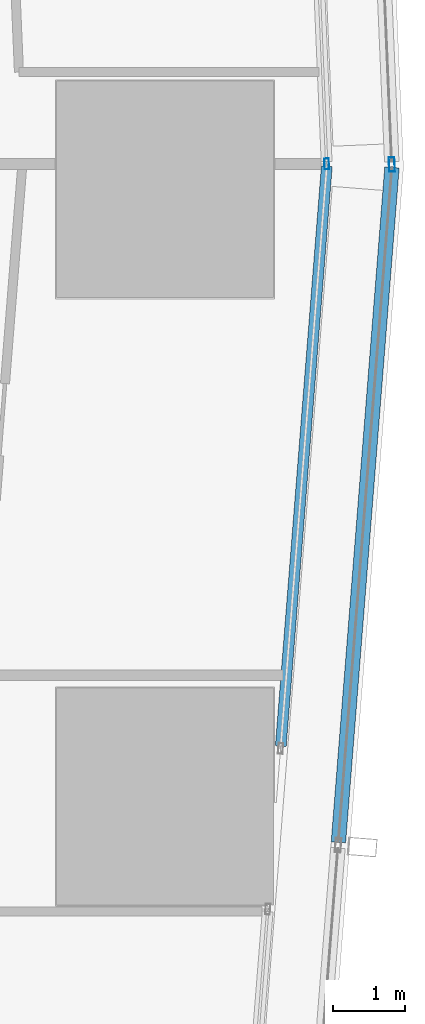
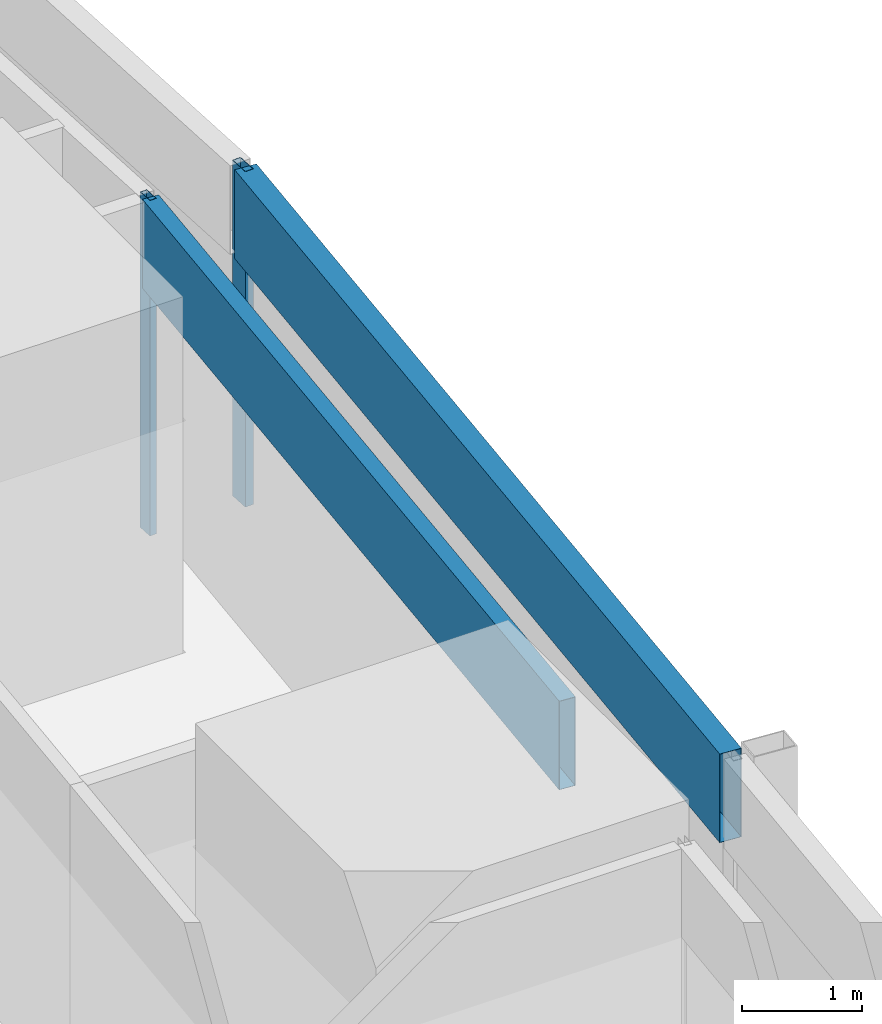
# One storey, part 26 of 44: 4 members, 4 elements without a shape of their own.
"""IFC4 building model written with IfcOpenShell, lengths in metres."""

from ifc_helpers import new_model, si_unit, direction, frame, origin, origin_2d, place, context, subcontext, project, spatial, hollow_rectangle, extrude, material, material_profile, profile_set, type_object, element, aggregate, save


model = new_model("IFC4")

# Units and contexts
model_context = context("Model", 3, precision=1e-05, world=origin(), true_north=direction((0.0, 1.0)))
body_context = subcontext(model_context, "Body", "Model", "MODEL_VIEW")
ifc_project = project(units=[si_unit("LENGTHUNIT", "METRE"), si_unit("AREAUNIT", "SQUARE_METRE"), si_unit("VOLUMEUNIT", "CUBIC_METRE"), si_unit("PLANEANGLEUNIT", "RADIAN"), si_unit("MASSUNIT", "GRAM", prefix="KILO")], contexts=[model_context])

# Site, building, storey
site_placement = place(None, origin())
site = spatial("IfcSite", under=ifc_project, at=site_placement, CompositionType="ELEMENT")
building_placement = place(site_placement, origin())
building = spatial("IfcBuilding", under=site, at=building_placement, Name="Rekha Terrace Tower", CompositionType="ELEMENT")
storey_placement = place(building_placement, frame((0.0, 0.0, 81.64990234375)))
storey = spatial("IfcBuildingStorey", under=building, at=storey_placement, Name="L20", CompositionType="ELEMENT", Elevation=81.64990234375)

# Curtain wall, member
ifc_material_1 = material(Name="Aluminium framing", Category="aluminium")
curtain_wall_type_1 = type_object("IfcCurtainWallType", Name="CW1 double skin inner glazing", PredefinedType="USERDEFINED", material=ifc_material_1)
curtain_wall_1_placement = place(storey_placement, origin())
curtain_wall_1 = element("IfcCurtainWall", 1, at=curtain_wall_1_placement, inside=storey, type_object=curtain_wall_type_1, Name="CW1 double skin inner glazing", ObjectType="DOUBLE SKIN INNER GLAZING", PredefinedType="USERDEFINED")
ifc_material_2 = material(Name="Aluminium mullion section", Category="aluminium")
ifc_material_profile_1 = material_profile(ifc_material_2, hollow_rectangle(XDim=0.06494140625, YDim=0.14990234375, WallThickness=0.00390625, at=origin_2d()), Name="AL RHS 65x150")
ifc_profile_set_1 = profile_set([ifc_material_profile_1], Name="Aluminium mullion section")
member_type_1 = type_object("IfcMemberType", Name="CW1 mullion RHS 65 x 150", PredefinedType="MULLION", material=ifc_profile_set_1)
member_1_placement = place(storey_placement, frame((69.436767578125, 25.5517578125, 0.0), z_axis=(0.0, 0.0, 1.0), x_axis=(-0.999088106904, -0.042696072921, 0.0)))
member_1 = element("IfcMember", 2, at=member_1_placement, type_object=member_type_1, Name="CW1 mullion 1", PredefinedType="MULLION", context=body_context, shape_type="SweptSolid", body=[
    extrude(hollow_rectangle(XDim=0.06494140625, YDim=0.14990234375, WallThickness=0.00390625, at=origin_2d()), origin(), (0.0, 0.0, 1.0), 3.400146484375),
])
aggregate(curtain_wall_1, [member_1])

curtain_wall_2_placement = place(storey_placement, origin())
curtain_wall_2 = element("IfcCurtainWall", 3, at=curtain_wall_2_placement, inside=storey, type_object=curtain_wall_type_1, Name="CW1 double skin inner glazing", ObjectType="DOUBLE SKIN INNER GLAZING", PredefinedType="USERDEFINED")
ifc_material_3 = material(Name="Insulated aluminium spandrel box", Category="aluminium")
ifc_material_profile_2 = material_profile(ifc_material_3, hollow_rectangle(XDim=0.14990234375, YDim=0.89990234375, WallThickness=0.0029296875, at=origin_2d()), Name="AL SPANDREL BOX 150x900")
ifc_profile_set_2 = profile_set([ifc_material_profile_2], Name="Insulated aluminium spandrel box")
member_type_2 = type_object("IfcMemberType", Name="CW1 spandrel transom 150 x 900", PredefinedType="USERDEFINED", material=ifc_profile_set_2)
member_2_placement = place(storey_placement, frame((68.801513671875, 17.49609375, 2.9501953125), z_axis=(0.079111037739, 0.996865810281, 0.0), x_axis=(-0.996865810281, 0.079111037739, 0.0)))
member_2 = element("IfcMember", 4, at=member_2_placement, type_object=member_type_2, Name="CW1 spandrel transom 1", ObjectType="TRANSOM", PredefinedType="USERDEFINED", context=body_context, shape_type="SweptSolid", body=[
    extrude(hollow_rectangle(XDim=0.14990234375, YDim=0.89990234375, WallThickness=0.0029296875, at=origin_2d()), origin(), (0.0, 0.0, 1.0), 8.04833984375),
])
aggregate(curtain_wall_2, [member_2])

curtain_wall_type_2 = type_object("IfcCurtainWallType", Name="CW2 double skin outer glazing", PredefinedType="USERDEFINED", material=ifc_material_1)
curtain_wall_3_placement = place(storey_placement, origin())
curtain_wall_3 = element("IfcCurtainWall", 5, at=curtain_wall_3_placement, inside=storey, type_object=curtain_wall_type_2, Name="CW2 double skin outer glazing", ObjectType="DOUBLE SKIN OUTER GLAZING", PredefinedType="USERDEFINED")
ifc_material_profile_3 = material_profile(ifc_material_2, hollow_rectangle(XDim=0.080078125, YDim=0.199951171875, WallThickness=0.00390625, at=origin_2d()), Name="AL RHS 80x200")
ifc_profile_set_3 = profile_set([ifc_material_profile_3], Name="Aluminium mullion section")
member_type_3 = type_object("IfcMemberType", Name="CW2 mullion RHS 80 x 200", PredefinedType="MULLION", material=ifc_profile_set_3)
member_3_placement = place(storey_placement, frame((70.338134765625, 25.54296875, 0.0), z_axis=(0.0, 0.0, 1.0), x_axis=(-0.999088106903, -0.042696072956, 0.0)))
member_3 = element("IfcMember", 6, at=member_3_placement, type_object=member_type_3, Name="CW2 mullion 1", PredefinedType="MULLION", context=body_context, shape_type="SweptSolid", body=[
    extrude(hollow_rectangle(XDim=0.080078125, YDim=0.199951171875, WallThickness=0.00390625, at=origin_2d()), origin(), (0.0, 0.0, 1.0), 3.400146484375),
])
aggregate(curtain_wall_3, [member_3])

curtain_wall_4_placement = place(storey_placement, origin())
curtain_wall_4 = element("IfcCurtainWall", 7, at=curtain_wall_4_placement, inside=storey, type_object=curtain_wall_type_2, Name="CW2 double skin outer glazing", ObjectType="DOUBLE SKIN OUTER GLAZING", PredefinedType="USERDEFINED")
ifc_material_profile_4 = material_profile(ifc_material_3, hollow_rectangle(XDim=0.199951171875, YDim=0.89990234375, WallThickness=0.0029296875, at=origin_2d()), Name="AL SPANDREL BOX 200x900")
ifc_profile_set_4 = profile_set([ifc_material_profile_4], Name="Insulated aluminium spandrel box")
member_type_4 = type_object("IfcMemberType", Name="CW2 spandrel transom 200 x 900", PredefinedType="USERDEFINED", material=ifc_profile_set_4)
member_4_placement = place(storey_placement, frame((69.5986328125, 16.16552734375, 2.9501953125), z_axis=(0.079131924046, 0.996864152529, 0.0), x_axis=(-0.996864152529, 0.079131924046, 0.0)))
member_4 = element("IfcMember", 8, at=member_4_placement, type_object=member_type_4, Name="CW2 spandrel transom 2", ObjectType="TRANSOM", PredefinedType="USERDEFINED", context=body_context, shape_type="SweptSolid", body=[
    extrude(hollow_rectangle(XDim=0.199951171875, YDim=0.89990234375, WallThickness=0.0029296875, at=origin_2d()), origin(), (0.0, 0.0, 1.0), 9.36669921875),
])
aggregate(curtain_wall_4, [member_4])

save(model, "model.ifc")
